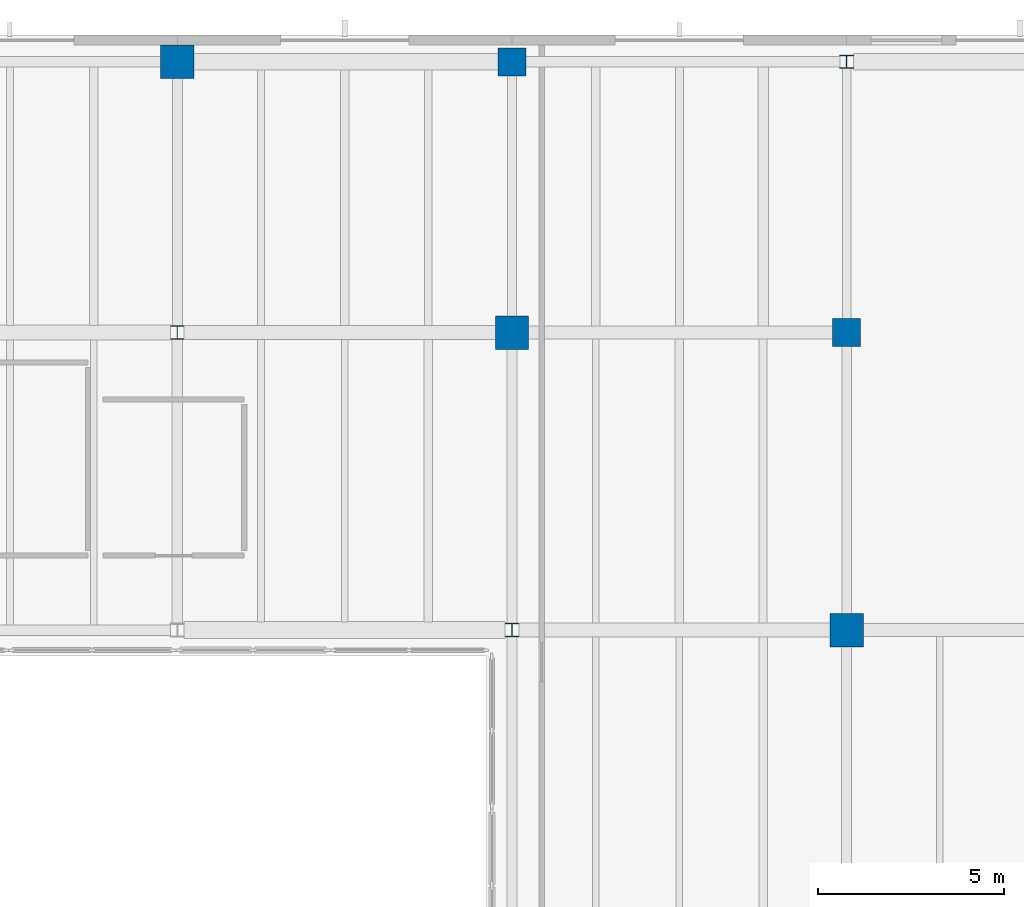
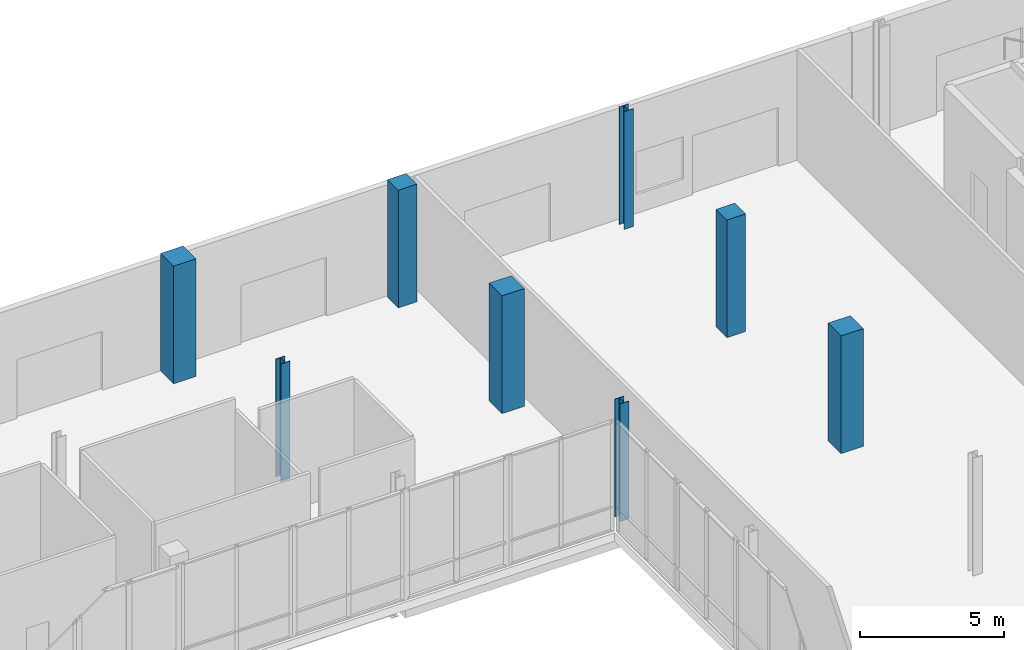
# One storey, part 10 of 88: 8 columns.
"""IFC4 building model written with IfcOpenShell, lengths in metres."""

from ifc_helpers import new_model, si_unit, direction, frame, origin, origin_2d, place, context, subcontext, project, spatial, rectangle, i_section, extrude, material, material_profile, profile_set, type_object, element, save


model = new_model("IFC4")

# Units and contexts
model_context = context("Model", 3, precision=1e-05, world=origin(), true_north=direction((0.0, 1.0)))
body_context = subcontext(model_context, "Body", "Model", "MODEL_VIEW")
ifc_project = project(units=[si_unit("LENGTHUNIT", "METRE"), si_unit("AREAUNIT", "SQUARE_METRE"), si_unit("VOLUMEUNIT", "CUBIC_METRE"), si_unit("PLANEANGLEUNIT", "RADIAN"), si_unit("MASSUNIT", "GRAM", prefix="KILO")], contexts=[model_context])

# Site, building, storey
site_placement = place(None, origin())
site = spatial("IfcSite", under=ifc_project, at=site_placement, CompositionType="ELEMENT")
building_placement = place(site_placement, origin())
building = spatial("IfcBuilding", under=site, at=building_placement, Name="Trimount Lyric Opera House", CompositionType="ELEMENT")
storey_placement = place(building_placement, origin())
storey = spatial("IfcBuildingStorey", under=building, at=storey_placement, Name="L00", CompositionType="ELEMENT", Elevation=0.0)

# Columns
ifc_material_1 = material(Name="Steel ASTM A992 Grade 50", Category="steel")
ifc_material_profile_1 = material_profile(ifc_material_1, i_section(OverallWidth=0.373046875, OverallDepth=0.367919921875, WebThickness=0.014892578125, FlangeThickness=0.02392578125, FilletRadius=0.014892578125, at=origin_2d()), Name="W14X120")
ifc_profile_set_1 = profile_set([ifc_material_profile_1], Name="Steel ASTM A992 Grade 50")
column_type_1 = type_object("IfcColumnType", Name="C-04", PredefinedType="COLUMN", material=ifc_profile_set_1)
for number, where, z_axis, x_axis, name in (
    (1, (36.0, 110.0, 0.0), (0.0, 0.0, 1.0), (1.0, 0.0, 0.0), "L00 column 5/N"),
    (2, (45.0, 102.0, 0.0), (0.0, 0.0, 1.0), (1.0, 0.0, 0.0), "L00 column 6/M"),
):
    element("IfcColumn", number, at=place(storey_placement, frame(where, z_axis=z_axis, x_axis=x_axis)), inside=storey, type_object=column_type_1, Name=name, PredefinedType="COLUMN", context=body_context, shape_type="SweptSolid", body=[
        extrude(i_section(OverallWidth=0.373046875, OverallDepth=0.367919921875, WebThickness=0.014892578125, FlangeThickness=0.02392578125, FilletRadius=0.014892578125, at=origin_2d()), origin(), (0.0, 0.0, 1.0), 5.0),
    ])
ifc_material_2 = material(Name="Steel ASTM A992 Grade 50", Category="steel")
ifc_material_profile_2 = material_profile(ifc_material_2, i_section(OverallWidth=0.367919921875, OverallDepth=0.35595703125, WebThickness=0.01123046875, FlangeThickness=0.01806640625, FilletRadius=0.014892578125, at=origin_2d()), Name="W14X90")
ifc_profile_set_2 = profile_set([ifc_material_profile_2], Name="Steel ASTM A992 Grade 50")
column_type_2 = type_object("IfcColumnType", Name="C-09", PredefinedType="COLUMN", material=ifc_profile_set_2)
column_placement = place(storey_placement, frame((54.0, 117.280029296875, 0.0), z_axis=(0.0, 0.0, 1.0), x_axis=(1.0, 0.0, 0.0)))
element("IfcColumn", 3, at=column_placement, inside=storey, type_object=column_type_2, Name="L00 column 7/P", PredefinedType="COLUMN", context=body_context, shape_type="SweptSolid", body=[
    extrude(i_section(OverallWidth=0.367919921875, OverallDepth=0.35595703125, WebThickness=0.01123046875, FlangeThickness=0.01806640625, FilletRadius=0.014892578125, at=origin_2d()), origin(), (0.0, 0.0, 1.0), 5.0),
])
ifc_material_3 = material(Name="Concrete C50/60", Category="concrete")
ifc_material_profile_3 = material_profile(ifc_material_3, rectangle(XDim=0.89990234375, YDim=0.89990234375, at=origin_2d()), Name="RC900X900")
ifc_profile_set_3 = profile_set([ifc_material_profile_3], Name="Concrete C50/60")
column_type_3 = type_object("IfcColumnType", Name="C-13", PredefinedType="COLUMN", material=ifc_profile_set_3)
for number, where, z_axis, x_axis, name in (
    (4, (36.0, 117.280029296875, 0.0), (0.0, 0.0, 1.0), (1.0, 0.0, 0.0), "L00 column 5/P"),
    (5, (45.0, 110.0, 0.0), (0.0, 0.0, 1.0), (1.0, 0.0, 0.0), "L00 column 6/N"),
    (6, (54.0, 102.0, 0.0), (0.0, 0.0, 1.0), (1.0, 0.0, 0.0), "L00 column 7/M"),
):
    element("IfcColumn", number, at=place(storey_placement, frame(where, z_axis=z_axis, x_axis=x_axis)), inside=storey, type_object=column_type_3, Name=name, PredefinedType="COLUMN", context=body_context, shape_type="SweptSolid", body=[
        extrude(rectangle(XDim=0.89990234375, YDim=0.89990234375, at=origin_2d()), origin(), (0.0, 0.0, 1.0), 5.0),
    ])
ifc_material_4 = material(Name="Concrete C40/50", Category="concrete")
ifc_material_profile_4 = material_profile(ifc_material_4, rectangle(XDim=0.75, YDim=0.75, at=origin_2d()), Name="RC750X750")
ifc_profile_set_4 = profile_set([ifc_material_profile_4], Name="Concrete C40/50")
column_type_4 = type_object("IfcColumnType", Name="C-15", PredefinedType="COLUMN", material=ifc_profile_set_4)
for number, where, z_axis, x_axis, name in (
    (7, (45.0, 117.280029296875, 0.0), (0.0, 0.0, 1.0), (1.0, 0.0, 0.0), "L00 column 6/P"),
    (8, (54.0, 110.0, 0.0), (0.0, 0.0, 1.0), (1.0, 0.0, 0.0), "L00 column 7/N"),
):
    element("IfcColumn", number, at=place(storey_placement, frame(where, z_axis=z_axis, x_axis=x_axis)), inside=storey, type_object=column_type_4, Name=name, PredefinedType="COLUMN", context=body_context, shape_type="SweptSolid", body=[
        extrude(rectangle(XDim=0.75, YDim=0.75, at=origin_2d()), origin(), (0.0, 0.0, 1.0), 5.0),
    ])

save(model, "model.ifc")
